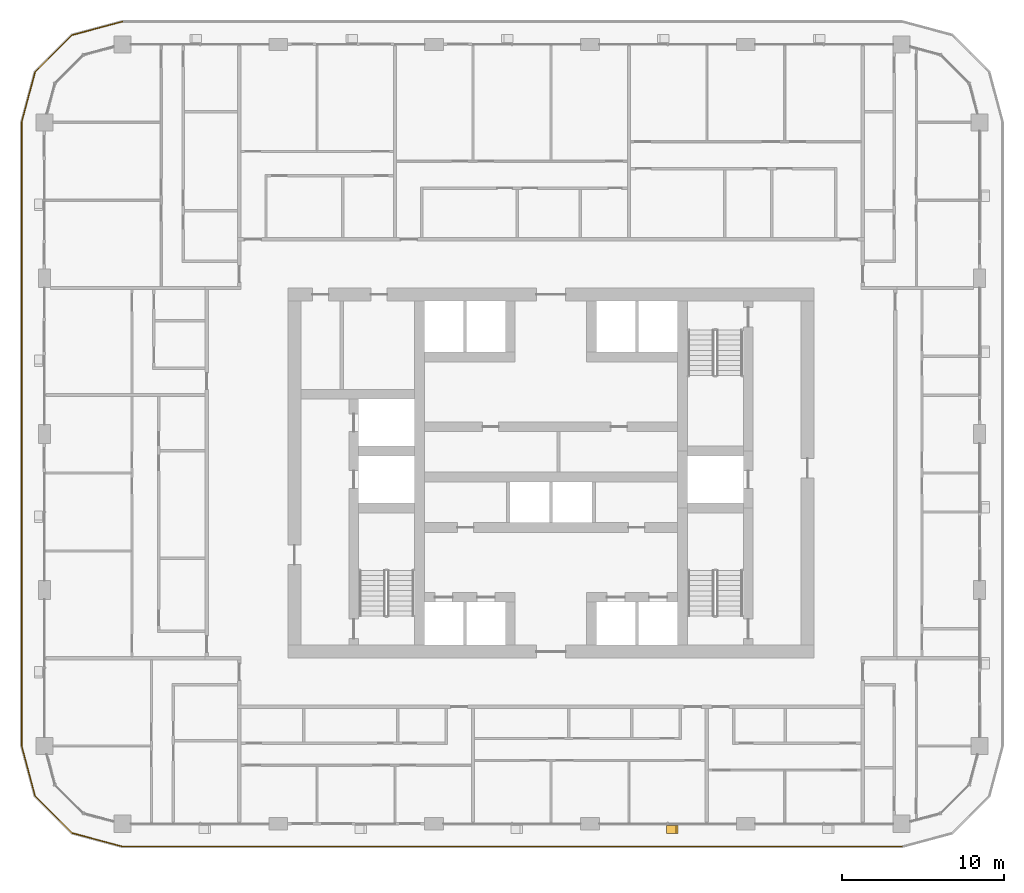
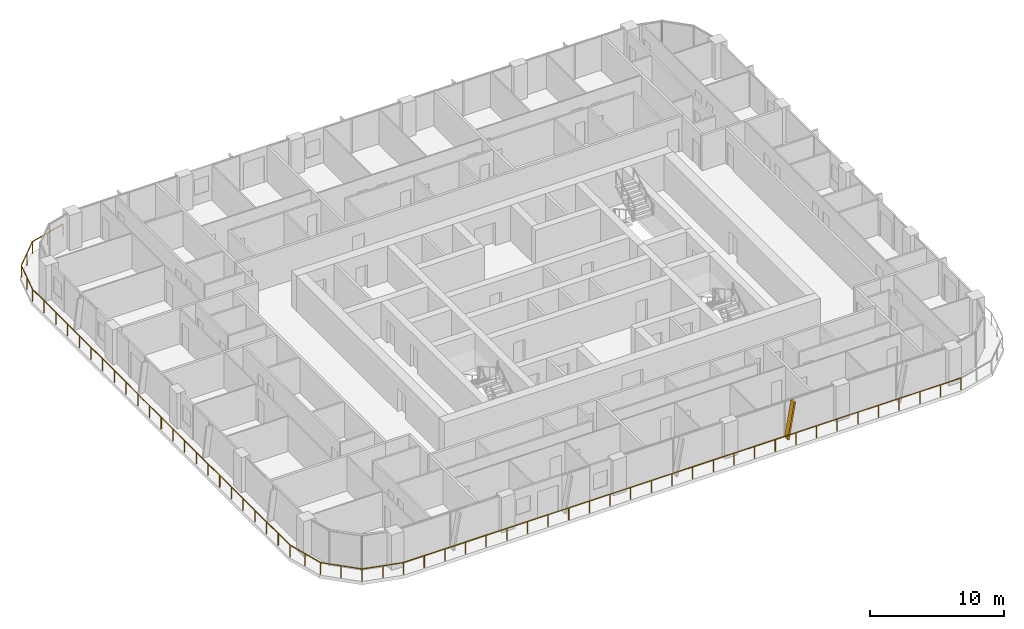
# One storey, part 18 of 22: 1 railing, 1 shading device.
"""IFC4 building model written with IfcOpenShell, lengths in metres."""

from ifc_helpers import new_model, si_unit, direction, frame, origin, origin_2d, place, context, subcontext, project, spatial, polyline, circle, outline, extrude, material, type_object, element, save


model = new_model("IFC4")

# Units and contexts
model_context = context("Model", 3, precision=1e-05, world=origin(), true_north=direction((0.0, 1.0)))
body_context = subcontext(model_context, "Body", "Model", "MODEL_VIEW")
ifc_project = project(units=[si_unit("LENGTHUNIT", "METRE"), si_unit("AREAUNIT", "SQUARE_METRE"), si_unit("VOLUMEUNIT", "CUBIC_METRE"), si_unit("PLANEANGLEUNIT", "RADIAN"), si_unit("MASSUNIT", "GRAM", prefix="KILO")], contexts=[model_context])

# Site, building, storey
site_placement = place(None, origin())
site = spatial("IfcSite", under=ifc_project, at=site_placement, CompositionType="ELEMENT")
building_placement = place(site_placement, origin())
building = spatial("IfcBuilding", under=site, at=building_placement, Name="Madar Terraces", CompositionType="ELEMENT")
storey_placement = place(building_placement, frame((0.0, 0.0, 129.60009765625)))
storey = spatial("IfcBuildingStorey", under=building, at=storey_placement, Name="L33", CompositionType="ELEMENT", Elevation=129.60009765625)

# Railing
ifc_material_1 = material(Name="Glass, safety glazing, with stainless steel posts", Category="steel")
railing_type = type_object("IfcRailingType", Name="Balcony glass guard 1100", PredefinedType="GUARDRAIL", material=ifc_material_1)
railing_placement = place(storey_placement, frame((4.800048828125, 54.199951171875, 0.0)))
element("IfcRailing", 1, at=railing_placement, inside=storey, type_object=railing_type, Name="Balcony guard", PredefinedType="GUARDRAIL", context=body_context, shape_type="SweptSolid", body=[
    extrude(circle(Radius=0.02392578125, at=origin_2d()), frame((0.0, 0.0, 1.076171875), z_axis=(-0.9659337912, -0.258789317819, 0.0), x_axis=(0.258789317819, -0.9659337912, 0.0)), (0.0, 0.0, 1.0), 3.20947265625),
    extrude(circle(Radius=0.02392578125, at=origin_2d()), frame((-3.10009765625, -0.83056640625, 1.076171875), z_axis=(-0.707106781187, -0.707106781187, 0.0), x_axis=(0.707106781187, -0.707106781187, 0.0)), (0.0, 0.0, 1.0), 3.209228515625),
    extrude(circle(Radius=0.02392578125, at=origin_2d()), frame((-5.369384765625, -3.099853515625, 1.076171875), z_axis=(-0.258789317819, -0.9659337912, 0.0), x_axis=(0.9659337912, -0.258789317819, 0.0)), (0.0, 0.0, 1.0), 3.20947265625),
    extrude(circle(Radius=0.02392578125, at=origin_2d()), frame((-6.199951171875, -6.199951171875, 1.076171875), z_axis=(0.0, -1.0, 0.0), x_axis=(1.0, 0.0, 0.0)), (0.0, 0.0, 1.0), 38.39990234375),
    extrude(circle(Radius=0.02392578125, at=origin_2d()), frame((-6.199951171875, -44.599853515625, 1.076171875), z_axis=(0.258789317819, -0.9659337912, 0.0), x_axis=(0.9659337912, 0.258789317819, 0.0)), (0.0, 0.0, 1.0), 3.20947265625),
    extrude(circle(Radius=0.02392578125, at=origin_2d()), frame((-5.369384765625, -47.699951171875, 1.076171875), z_axis=(0.707106781187, -0.707106781187, 0.0), x_axis=(0.707106781187, 0.707106781187, 0.0)), (0.0, 0.0, 1.0), 3.209228515625),
    extrude(circle(Radius=0.02392578125, at=origin_2d()), frame((-3.10009765625, -49.96923828125, 1.076171875), z_axis=(0.965914773555, -0.258860290944, 0.0), x_axis=(0.258860290944, 0.965914773555, 0.0)), (0.0, 0.0, 1.0), 3.20947265625),
    extrude(circle(Radius=0.02392578125, at=origin_2d()), frame((0.0, -50.800048828125, 1.076171875), z_axis=(1.0, 0.0, 0.0), x_axis=(0.0, 1.0, 0.0)), (0.0, 0.0, 1.0), 48.0),
    extrude(circle(Radius=0.02099609375, at=origin_2d()), origin(), (0.0, 0.0, 1.0), 1.052001953125),
    extrude(circle(Radius=0.02099609375, at=origin_2d()), frame((-1.550048828125, -0.415283203125, 0.0)), (0.0, 0.0, 1.0), 1.052001953125),
    extrude(circle(Radius=0.02099609375, at=origin_2d()), frame((-3.10009765625, -0.83056640625, 0.0)), (0.0, 0.0, 1.0), 1.052001953125),
    extrude(circle(Radius=0.02099609375, at=origin_2d()), frame((-4.23486328125, -1.96533203125, 0.0)), (0.0, 0.0, 1.0), 1.052001953125),
    extrude(circle(Radius=0.02099609375, at=origin_2d()), frame((-5.369384765625, -3.099853515625, 0.0)), (0.0, 0.0, 1.0), 1.052001953125),
    extrude(circle(Radius=0.02099609375, at=origin_2d()), frame((-5.78466796875, -4.64990234375, 0.0)), (0.0, 0.0, 1.0), 1.052001953125),
    extrude(circle(Radius=0.02099609375, at=origin_2d()), frame((-6.199951171875, -6.199951171875, 0.0)), (0.0, 0.0, 1.0), 1.052001953125),
    extrude(circle(Radius=0.02099609375, at=origin_2d()), frame((-6.199951171875, -7.9453125, 0.0)), (0.0, 0.0, 1.0), 1.052001953125),
    extrude(circle(Radius=0.02099609375, at=origin_2d()), frame((-6.199951171875, -9.69091796875, 0.0)), (0.0, 0.0, 1.0), 1.052001953125),
    extrude(circle(Radius=0.02099609375, at=origin_2d()), frame((-6.199951171875, -11.436279296875, 0.0)), (0.0, 0.0, 1.0), 1.052001953125),
    extrude(circle(Radius=0.02099609375, at=origin_2d()), frame((-6.199951171875, -13.181640625, 0.0)), (0.0, 0.0, 1.0), 1.052001953125),
    extrude(circle(Radius=0.02099609375, at=origin_2d()), frame((-6.199951171875, -14.92724609375, 0.0)), (0.0, 0.0, 1.0), 1.052001953125),
    extrude(circle(Radius=0.02099609375, at=origin_2d()), frame((-6.199951171875, -16.672607421875, 0.0)), (0.0, 0.0, 1.0), 1.052001953125),
    extrude(circle(Radius=0.02099609375, at=origin_2d()), frame((-6.199951171875, -18.418212890625, 0.0)), (0.0, 0.0, 1.0), 1.052001953125),
    extrude(circle(Radius=0.02099609375, at=origin_2d()), frame((-6.199951171875, -20.16357421875, 0.0)), (0.0, 0.0, 1.0), 1.052001953125),
    extrude(circle(Radius=0.02099609375, at=origin_2d()), frame((-6.199951171875, -21.908935546875, 0.0)), (0.0, 0.0, 1.0), 1.052001953125),
    extrude(circle(Radius=0.02099609375, at=origin_2d()), frame((-6.199951171875, -23.654541015625, 0.0)), (0.0, 0.0, 1.0), 1.052001953125),
    extrude(circle(Radius=0.02099609375, at=origin_2d()), frame((-6.199951171875, -25.39990234375, 0.0)), (0.0, 0.0, 1.0), 1.052001953125),
    extrude(circle(Radius=0.02099609375, at=origin_2d()), frame((-6.199951171875, -27.145263671875, 0.0)), (0.0, 0.0, 1.0), 1.052001953125),
    extrude(circle(Radius=0.02099609375, at=origin_2d()), frame((-6.199951171875, -28.890869140625, 0.0)), (0.0, 0.0, 1.0), 1.052001953125),
    extrude(circle(Radius=0.02099609375, at=origin_2d()), frame((-6.199951171875, -30.63623046875, 0.0)), (0.0, 0.0, 1.0), 1.052001953125),
    extrude(circle(Radius=0.02099609375, at=origin_2d()), frame((-6.199951171875, -32.381591796875, 0.0)), (0.0, 0.0, 1.0), 1.052001953125),
    extrude(circle(Radius=0.02099609375, at=origin_2d()), frame((-6.199951171875, -34.127197265625, 0.0)), (0.0, 0.0, 1.0), 1.052001953125),
    extrude(circle(Radius=0.02099609375, at=origin_2d()), frame((-6.199951171875, -35.87255859375, 0.0)), (0.0, 0.0, 1.0), 1.052001953125),
    extrude(circle(Radius=0.02099609375, at=origin_2d()), frame((-6.199951171875, -37.6181640625, 0.0)), (0.0, 0.0, 1.0), 1.052001953125),
    extrude(circle(Radius=0.02099609375, at=origin_2d()), frame((-6.199951171875, -39.363525390625, 0.0)), (0.0, 0.0, 1.0), 1.052001953125),
    extrude(circle(Radius=0.02099609375, at=origin_2d()), frame((-6.199951171875, -41.10888671875, 0.0)), (0.0, 0.0, 1.0), 1.052001953125),
    extrude(circle(Radius=0.02099609375, at=origin_2d()), frame((-6.199951171875, -42.8544921875, 0.0)), (0.0, 0.0, 1.0), 1.052001953125),
    extrude(circle(Radius=0.02099609375, at=origin_2d()), frame((-6.199951171875, -44.599853515625, 0.0)), (0.0, 0.0, 1.0), 1.052001953125),
    extrude(circle(Radius=0.02099609375, at=origin_2d()), frame((-5.78466796875, -46.14990234375, 0.0)), (0.0, 0.0, 1.0), 1.052001953125),
    extrude(circle(Radius=0.02099609375, at=origin_2d()), frame((-5.369384765625, -47.699951171875, 0.0)), (0.0, 0.0, 1.0), 1.052001953125),
    extrude(circle(Radius=0.02099609375, at=origin_2d()), frame((-4.23486328125, -48.83447265625, 0.0)), (0.0, 0.0, 1.0), 1.052001953125),
    extrude(circle(Radius=0.02099609375, at=origin_2d()), frame((-3.10009765625, -49.96923828125, 0.0)), (0.0, 0.0, 1.0), 1.052001953125),
    extrude(circle(Radius=0.02099609375, at=origin_2d()), frame((-1.550048828125, -50.384765625, 0.0)), (0.0, 0.0, 1.0), 1.052001953125),
    extrude(circle(Radius=0.02099609375, at=origin_2d()), frame((0.0, -50.800048828125, 0.0)), (0.0, 0.0, 1.0), 1.052001953125),
    extrude(circle(Radius=0.02099609375, at=origin_2d()), frame((1.77783203125, -50.800048828125, 0.0)), (0.0, 0.0, 1.0), 1.052001953125),
    extrude(circle(Radius=0.02099609375, at=origin_2d()), frame((3.5556640625, -50.800048828125, 0.0)), (0.0, 0.0, 1.0), 1.052001953125),
    extrude(circle(Radius=0.02099609375, at=origin_2d()), frame((5.333251953125, -50.800048828125, 0.0)), (0.0, 0.0, 1.0), 1.052001953125),
    extrude(circle(Radius=0.02099609375, at=origin_2d()), frame((7.111083984375, -50.800048828125, 0.0)), (0.0, 0.0, 1.0), 1.052001953125),
    extrude(circle(Radius=0.02099609375, at=origin_2d()), frame((8.888916015625, -50.800048828125, 0.0)), (0.0, 0.0, 1.0), 1.052001953125),
    extrude(circle(Radius=0.02099609375, at=origin_2d()), frame((10.666748046875, -50.800048828125, 0.0)), (0.0, 0.0, 1.0), 1.052001953125),
    extrude(circle(Radius=0.02099609375, at=origin_2d()), frame((12.4443359375, -50.800048828125, 0.0)), (0.0, 0.0, 1.0), 1.052001953125),
    extrude(circle(Radius=0.02099609375, at=origin_2d()), frame((14.22216796875, -50.800048828125, 0.0)), (0.0, 0.0, 1.0), 1.052001953125),
    extrude(circle(Radius=0.02099609375, at=origin_2d()), frame((16.0, -50.800048828125, 0.0)), (0.0, 0.0, 1.0), 1.052001953125),
    extrude(circle(Radius=0.02099609375, at=origin_2d()), frame((17.77783203125, -50.800048828125, 0.0)), (0.0, 0.0, 1.0), 1.052001953125),
    extrude(circle(Radius=0.02099609375, at=origin_2d()), frame((19.5556640625, -50.800048828125, 0.0)), (0.0, 0.0, 1.0), 1.052001953125),
    extrude(circle(Radius=0.02099609375, at=origin_2d()), frame((21.333251953125, -50.800048828125, 0.0)), (0.0, 0.0, 1.0), 1.052001953125),
    extrude(circle(Radius=0.02099609375, at=origin_2d()), frame((23.111083984375, -50.800048828125, 0.0)), (0.0, 0.0, 1.0), 1.052001953125),
    extrude(circle(Radius=0.02099609375, at=origin_2d()), frame((24.888916015625, -50.800048828125, 0.0)), (0.0, 0.0, 1.0), 1.052001953125),
    extrude(circle(Radius=0.02099609375, at=origin_2d()), frame((26.666748046875, -50.800048828125, 0.0)), (0.0, 0.0, 1.0), 1.052001953125),
    extrude(circle(Radius=0.02099609375, at=origin_2d()), frame((28.4443359375, -50.800048828125, 0.0)), (0.0, 0.0, 1.0), 1.052001953125),
    extrude(circle(Radius=0.02099609375, at=origin_2d()), frame((30.22216796875, -50.800048828125, 0.0)), (0.0, 0.0, 1.0), 1.052001953125),
    extrude(circle(Radius=0.02099609375, at=origin_2d()), frame((32.0, -50.800048828125, 0.0)), (0.0, 0.0, 1.0), 1.052001953125),
    extrude(circle(Radius=0.02099609375, at=origin_2d()), frame((33.77783203125, -50.800048828125, 0.0)), (0.0, 0.0, 1.0), 1.052001953125),
    extrude(circle(Radius=0.02099609375, at=origin_2d()), frame((35.5556640625, -50.800048828125, 0.0)), (0.0, 0.0, 1.0), 1.052001953125),
    extrude(circle(Radius=0.02099609375, at=origin_2d()), frame((37.333251953125, -50.800048828125, 0.0)), (0.0, 0.0, 1.0), 1.052001953125),
    extrude(circle(Radius=0.02099609375, at=origin_2d()), frame((39.111083984375, -50.800048828125, 0.0)), (0.0, 0.0, 1.0), 1.052001953125),
    extrude(circle(Radius=0.02099609375, at=origin_2d()), frame((40.888916015625, -50.800048828125, 0.0)), (0.0, 0.0, 1.0), 1.052001953125),
    extrude(circle(Radius=0.02099609375, at=origin_2d()), frame((42.666748046875, -50.800048828125, 0.0)), (0.0, 0.0, 1.0), 1.052001953125),
    extrude(circle(Radius=0.02099609375, at=origin_2d()), frame((44.4443359375, -50.800048828125, 0.0)), (0.0, 0.0, 1.0), 1.052001953125),
    extrude(circle(Radius=0.02099609375, at=origin_2d()), frame((46.22216796875, -50.800048828125, 0.0)), (0.0, 0.0, 1.0), 1.052001953125),
    extrude(circle(Radius=0.02099609375, at=origin_2d()), frame((48.0, -50.800048828125, 0.0)), (0.0, 0.0, 1.0), 1.052001953125),
])

# Shading device
ifc_material_2 = material(Name="Aluminium, black anodised", Category="aluminium")
shading_device_type = type_object("IfcShadingDeviceType", Name="Facade fin blade 140 x 500", PredefinedType="USERDEFINED", material=ifc_material_2)
shading_device_placement = place(storey_placement, frame((38.330078125, 4.449951171875, 0.0), z_axis=(0.0, 0.0, 1.0), x_axis=(1.0, 0.0, 0.0)))
element("IfcShadingDevice", 2, at=shading_device_placement, inside=storey, type_object=shading_device_type, Name="FIN L33 S4", ObjectType="FIN", PredefinedType="USERDEFINED", context=body_context, shape_type="SweptSolid", body=[
    extrude(outline(polyline([(0.0, 0.0), (0.139892578125, 0.0), (0.704345703125, 3.199951171875), (0.564208984375, 3.199951171875), (0.0, 0.0)])), frame((0.0, 0.25, 0.0), z_axis=(0.0, -1.0, 0.0), x_axis=(1.0, 0.0, 0.0)), (0.0, 0.0, 1.0), 0.5),
])

save(model, "model.ifc")
